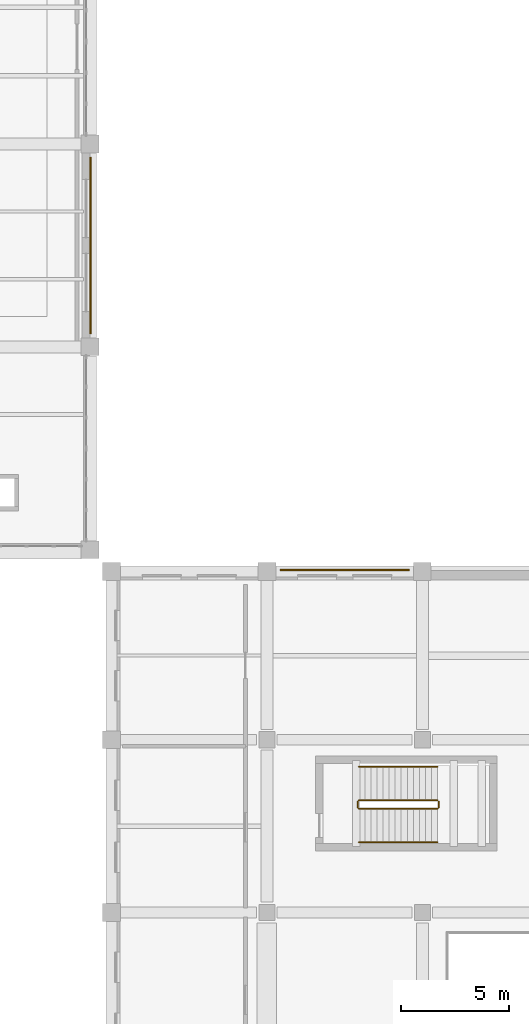
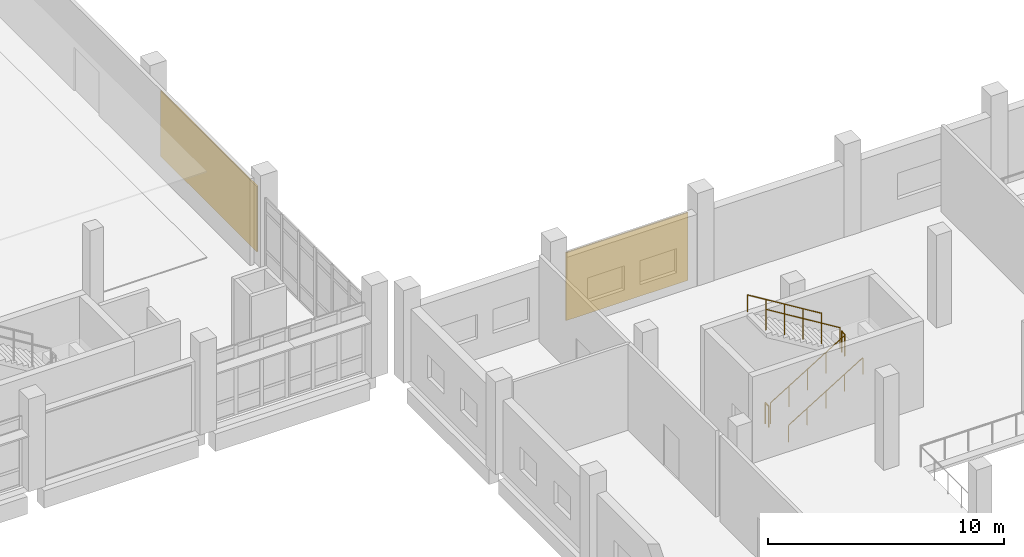
# One storey, part 70 of 73: 6 railings, 2 coverings.
"""IFC4 building model written with IfcOpenShell, lengths in metres."""

from ifc_helpers import new_model, si_unit, direction, frame, origin, origin_2d, place, context, subcontext, project, spatial, rectangle, circle, extrude, material, layer, layer_set, type_object, element, save


model = new_model("IFC4")

# Units and contexts
model_context = context("Model", 3, precision=1e-05, world=origin(), true_north=direction((0.0, 1.0)))
body_context = subcontext(model_context, "Body", "Model", "MODEL_VIEW")
ifc_project = project(units=[si_unit("LENGTHUNIT", "METRE"), si_unit("AREAUNIT", "SQUARE_METRE"), si_unit("VOLUMEUNIT", "CUBIC_METRE"), si_unit("PLANEANGLEUNIT", "RADIAN"), si_unit("MASSUNIT", "GRAM", prefix="KILO")], contexts=[model_context])

# Site, building, storey
site_placement = place(None, origin())
site = spatial("IfcSite", under=ifc_project, at=site_placement, CompositionType="ELEMENT")
building_placement = place(site_placement, origin())
building = spatial("IfcBuilding", under=site, at=building_placement, Name="Kelarvand Opera House", CompositionType="ELEMENT")
storey_placement = place(building_placement, frame((0.0, 0.0, 10.199951171875)))
storey = spatial("IfcBuildingStorey", under=building, at=storey_placement, Name="L02", CompositionType="ELEMENT", Elevation=10.199951171875)

# Coverings
ifc_material_1 = material(Name="Azarshahr buff travertine stone panels", Category="masonry")
ifc_layer = layer(ifc_material_1, 0.06005859375, Name="Azarshahr buff travertine stone panels", Category="masonry")
ifc_layer_set = layer_set([ifc_layer], Name="Azarshahr buff travertine stone panels")
covering_type = type_object("IfcCoveringType", Name="Azarshahr Honed Travertine Rainscreen Cladding 60mm", PredefinedType="CLADDING", material=ifc_layer_set)
covering_1_placement = place(storey_placement, frame((62.800048828125, 86.26611328125, 0.10009765625), z_axis=(0.0, 0.0, 1.0), x_axis=(1.0, 0.0, 0.0)))
element("IfcCovering", 1, at=covering_1_placement, inside=storey, type_object=covering_type, Name="V2 Travertine Facade Cladding 8", PredefinedType="CLADDING", context=body_context, shape_type="SweptSolid", body=[
    extrude(rectangle(XDim=5.97998046875, YDim=0.06005859375, at=origin_2d()), origin(), (0.0, 0.0, 1.0), 3.52197265625),
])
covering_2_placement = place(storey_placement, frame((51.02587890625, 101.300048828125, 0.10009765625), z_axis=(0.0, 0.0, 1.0), x_axis=(0.0, -1.0, 0.0)))
element("IfcCovering", 2, at=covering_2_placement, inside=storey, type_object=covering_type, Name="V3 Travertine Facade Cladding 12", PredefinedType="CLADDING", context=body_context, shape_type="SweptSolid", body=[
    extrude(rectangle(XDim=8.179931640625, YDim=0.06005859375, at=origin_2d()), origin(), (0.0, 0.0, 1.0), 3.39208984375),
])

# Railings
ifc_material_2 = material(Name="Brushed bronze tubular rail")
railing_type_1 = type_object("IfcRailingType", Name="Brushed Bronze Stair Wall Handrail 900", PredefinedType="HANDRAIL", material=ifc_material_2)
railing_1_placement = place(storey_placement, frame((63.4599609375, 73.64990234375, 0.17138671875)))
element("IfcRailing", 3, at=railing_1_placement, inside=storey, type_object=railing_type_1, Name="L02 ST-03 stair handrail 1", PredefinedType="HANDRAIL", context=body_context, shape_type="SweptSolid", body=[
    extrude(circle(Radius=0.02392578125, at=origin_2d()), frame((0.0, 0.0, 0.8759765625), z_axis=(0.852840387347, 0.0, 0.522171689878), x_axis=(0.0, 1.0, 0.0)), (0.0, 0.0, 1.0), 4.268310546875),
    extrude(circle(Radius=0.02099609375, at=origin_2d()), origin(), (0.0, 0.0, 1.0), 0.851806640625),
    extrude(circle(Radius=0.02099609375, at=origin_2d()), frame((0.91015625, 0.0, 0.55712890625)), (0.0, 0.0, 1.0), 0.851806640625),
    extrude(circle(Radius=0.02099609375, at=origin_2d()), frame((1.820068359375, 0.0, 1.1142578125)), (0.0, 0.0, 1.0), 0.851806640625),
    extrude(circle(Radius=0.02099609375, at=origin_2d()), frame((2.72998046875, 0.0, 1.671630859375)), (0.0, 0.0, 1.0), 0.851806640625),
    extrude(circle(Radius=0.02099609375, at=origin_2d()), frame((3.64013671875, 0.0, 2.228759765625)), (0.0, 0.0, 1.0), 0.851806640625),
])
railing_2_placement = place(storey_placement, frame((67.10009765625, 77.14990234375, 2.571533203125)))
element("IfcRailing", 4, at=railing_2_placement, inside=storey, type_object=railing_type_1, Name="L02 ST-03 stair handrail 2", PredefinedType="HANDRAIL", context=body_context, shape_type="SweptSolid", body=[
    extrude(circle(Radius=0.02392578125, at=origin_2d()), frame((0.0, 0.0, 0.8759765625), z_axis=(-0.852865859571, 0.0, 0.52213008492), x_axis=(0.0, -1.0, 0.0)), (0.0, 0.0, 1.0), 4.26806640625),
    extrude(circle(Radius=0.02099609375, at=origin_2d()), origin(), (0.0, 0.0, 1.0), 0.851806640625),
    extrude(circle(Radius=0.02099609375, at=origin_2d()), frame((-0.91015625, 0.0, 0.55712890625)), (0.0, 0.0, 1.0), 0.851806640625),
    extrude(circle(Radius=0.02099609375, at=origin_2d()), frame((-1.820068359375, 0.0, 1.1142578125)), (0.0, 0.0, 1.0), 0.851806640625),
    extrude(circle(Radius=0.02099609375, at=origin_2d()), frame((-2.72998046875, 0.0, 1.67138671875)), (0.0, 0.0, 1.0), 0.851806640625),
    extrude(circle(Radius=0.02099609375, at=origin_2d()), frame((-3.64013671875, 0.0, 2.228515625)), (0.0, 0.0, 1.0), 0.851806640625),
])
ifc_material_3 = material(Name="Powder-coated Steel S355", Category="steel")
railing_type_2 = type_object("IfcRailingType", Name="Painted Steel Stair and Void Guardrail 1100", PredefinedType="GUARDRAIL", material=ifc_material_3)
railing_3_placement = place(storey_placement, frame((63.4599609375, 75.2099609375, 0.17138671875)))
element("IfcRailing", 5, at=railing_3_placement, inside=storey, type_object=railing_type_2, Name="L02 ST-03 stair guard 1", PredefinedType="GUARDRAIL", context=body_context, shape_type="SweptSolid", body=[
    extrude(circle(Radius=0.02392578125, at=origin_2d()), frame((0.0, 0.0, 1.076171875), z_axis=(0.852840387347, 0.0, 0.522171689878), x_axis=(0.0, 1.0, 0.0)), (0.0, 0.0, 1.0), 4.268310546875),
    extrude(circle(Radius=0.02099609375, at=origin_2d()), origin(), (0.0, 0.0, 1.0), 1.052001953125),
    extrude(circle(Radius=0.02099609375, at=origin_2d()), frame((0.91015625, 0.0, 0.55712890625)), (0.0, 0.0, 1.0), 1.052001953125),
    extrude(circle(Radius=0.02099609375, at=origin_2d()), frame((1.820068359375, 0.0, 1.1142578125)), (0.0, 0.0, 1.0), 1.052001953125),
    extrude(circle(Radius=0.02099609375, at=origin_2d()), frame((2.72998046875, 0.0, 1.671630859375)), (0.0, 0.0, 1.0), 1.052001953125),
    extrude(circle(Radius=0.02099609375, at=origin_2d()), frame((3.64013671875, 0.0, 2.228759765625)), (0.0, 0.0, 1.0), 1.052001953125),
])
railing_4_placement = place(storey_placement, frame((67.14990234375, 75.260009765625, 2.400146484375)))
element("IfcRailing", 6, at=railing_4_placement, inside=storey, type_object=railing_type_2, Name="L02 ST-03 stair guard 2", PredefinedType="GUARDRAIL", context=body_context, shape_type="SweptSolid", body=[
    extrude(circle(Radius=0.02392578125, at=origin_2d()), frame((0.0, 0.0, 1.076171875), z_axis=(0.0, 1.0, 0.0), x_axis=(-1.0, 0.0, 0.0)), (0.0, 0.0, 1.0), 0.280029296875),
    extrude(circle(Radius=0.02099609375, at=origin_2d()), origin(), (0.0, 0.0, 1.0), 1.052001953125),
    extrude(circle(Radius=0.02099609375, at=origin_2d()), frame((0.0, 0.280029296875, 0.0)), (0.0, 0.0, 1.0), 1.052001953125),
])
railing_5_placement = place(storey_placement, frame((67.10009765625, 75.590087890625, 2.571533203125)))
element("IfcRailing", 7, at=railing_5_placement, inside=storey, type_object=railing_type_2, Name="L02 ST-03 stair guard 3", PredefinedType="GUARDRAIL", context=body_context, shape_type="SweptSolid", body=[
    extrude(circle(Radius=0.02392578125, at=origin_2d()), frame((0.0, 0.0, 1.076171875), z_axis=(-0.852865859571, 0.0, 0.52213008492), x_axis=(0.0, -1.0, 0.0)), (0.0, 0.0, 1.0), 4.26806640625),
    extrude(circle(Radius=0.02099609375, at=origin_2d()), origin(), (0.0, 0.0, 1.0), 1.052001953125),
    extrude(circle(Radius=0.02099609375, at=origin_2d()), frame((-0.91015625, 0.0, 0.55712890625)), (0.0, 0.0, 1.0), 1.052001953125),
    extrude(circle(Radius=0.02099609375, at=origin_2d()), frame((-1.820068359375, 0.0, 1.1142578125)), (0.0, 0.0, 1.0), 1.052001953125),
    extrude(circle(Radius=0.02099609375, at=origin_2d()), frame((-2.72998046875, 0.0, 1.67138671875)), (0.0, 0.0, 1.0), 1.052001953125),
    extrude(circle(Radius=0.02099609375, at=origin_2d()), frame((-3.64013671875, 0.0, 2.228515625)), (0.0, 0.0, 1.0), 1.052001953125),
])
railing_6_placement = place(storey_placement, frame((63.409912109375, 75.260009765625, 0.0)))
element("IfcRailing", 8, at=railing_6_placement, inside=storey, type_object=railing_type_2, Name="L02 ST-03 stair guard 4", PredefinedType="GUARDRAIL", context=body_context, shape_type="SweptSolid", body=[
    extrude(circle(Radius=0.02392578125, at=origin_2d()), frame((0.0, 0.0, 1.076171875), z_axis=(0.0, 1.0, 0.0), x_axis=(-1.0, 0.0, 0.0)), (0.0, 0.0, 1.0), 0.280029296875),
    extrude(circle(Radius=0.02099609375, at=origin_2d()), origin(), (0.0, 0.0, 1.0), 1.052001953125),
    extrude(circle(Radius=0.02099609375, at=origin_2d()), frame((0.0, 0.280029296875, 0.0)), (0.0, 0.0, 1.0), 1.052001953125),
])

save(model, "model.ifc")
